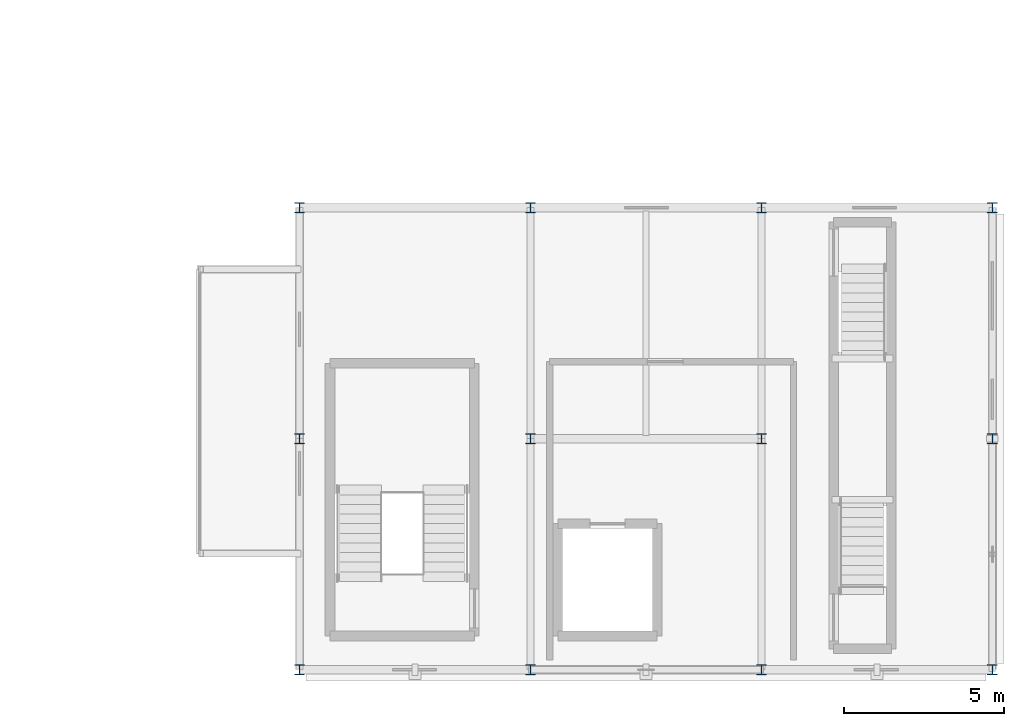
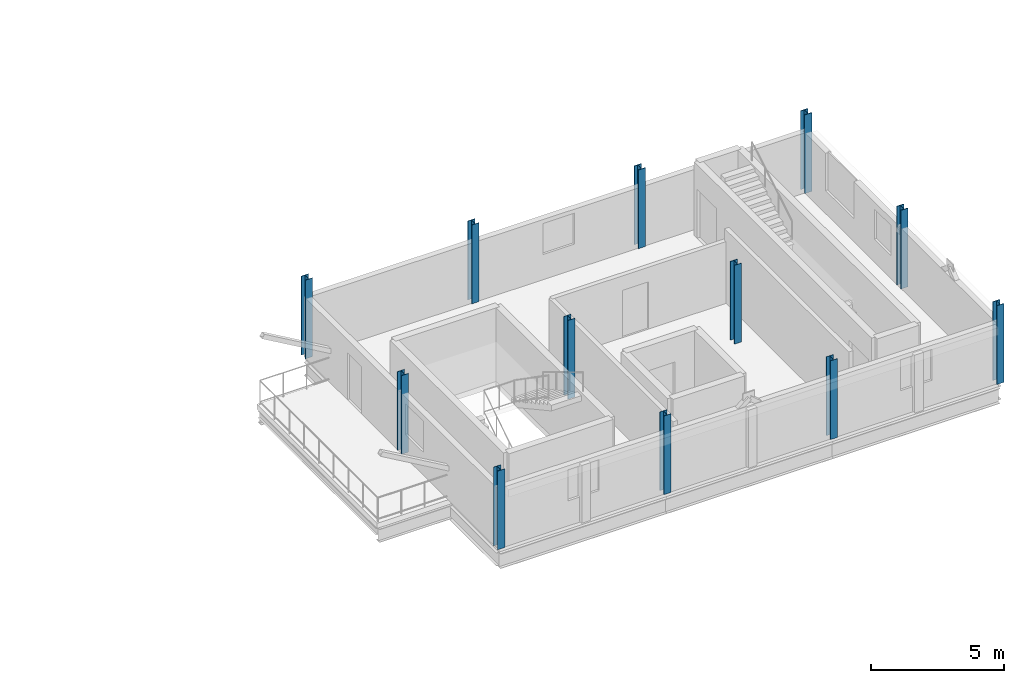
# One storey, part 6 of 96: 12 columns.
"""IFC4 building model written with IfcOpenShell, lengths in metres."""

from ifc_helpers import new_model, si_unit, direction, frame, origin, origin_2d, place, context, subcontext, project, spatial, i_section, extrude, material, material_profile, profile_set, type_object, element, save


model = new_model("IFC4")

# Units and contexts
model_context = context("Model", 3, precision=1e-05, world=origin(), true_north=direction((0.0, 1.0)))
body_context = subcontext(model_context, "Body", "Model", "MODEL_VIEW")
ifc_project = project(units=[si_unit("LENGTHUNIT", "METRE"), si_unit("AREAUNIT", "SQUARE_METRE"), si_unit("VOLUMEUNIT", "CUBIC_METRE"), si_unit("PLANEANGLEUNIT", "RADIAN"), si_unit("MASSUNIT", "GRAM", prefix="KILO")], contexts=[model_context])

# Site, building, storey
site_placement = place(None, origin())
site = spatial("IfcSite", under=ifc_project, at=site_placement, CompositionType="ELEMENT")
building_placement = place(site_placement, origin())
building = spatial("IfcBuilding", under=site, at=building_placement, Name="Yarey Park Central Fire Station", CompositionType="ELEMENT")
storey_placement = place(building_placement, frame((0.0, 0.0, 14.39990234375)))
storey = spatial("IfcBuildingStorey", under=building, at=storey_placement, Name="L04", CompositionType="ELEMENT", Elevation=14.39990234375)

# Columns
ifc_material = material(Name="Steel ASTM A992 Gr. 50", Category="steel")
ifc_material_profile_1 = material_profile(ifc_material, i_section(OverallWidth=0.30908203125, OverallDepth=0.322998046875, WebThickness=0.013916015625, FlangeThickness=0.02294921875, at=origin_2d()), Name="W310x143")
ifc_profile_set_1 = profile_set([ifc_material_profile_1], Name="Steel ASTM A992 Gr. 50")
column_type_1 = type_object("IfcColumnType", Name="STR_COL_W310_EXT", PredefinedType="COLUMN", material=ifc_profile_set_1)
for number, where, z_axis, x_axis, name in (
    (1, (144.0, 0.0, 0.0), (0.0, 0.0, 1.0), (1.0, 0.0, 0.0), "COL_L04_X1440_Y0"),
    (2, (144.0, 7.199951171875, 0.0), (0.0, 0.0, 1.0), (1.0, 0.0, 0.0), "COL_L04_X1440_Y72"),
    (3, (144.0, 14.39990234375, 0.0), (0.0, 0.0, 1.0), (1.0, 0.0, 0.0), "COL_L04_X1440_Y144"),
    (4, (151.199951171875, 0.0, 0.0), (0.0, 0.0, 1.0), (1.0, 0.0, 0.0), "COL_L04_X1512_Y0"),
    (5, (151.199951171875, 14.39990234375, 0.0), (0.0, 0.0, 1.0), (1.0, 0.0, 0.0), "COL_L04_X1512_Y144"),
    (6, (158.39990234375, 0.0, 0.0), (0.0, 0.0, 1.0), (1.0, 0.0, 0.0), "COL_L04_X1584_Y0"),
    (7, (158.39990234375, 14.39990234375, 0.0), (0.0, 0.0, 1.0), (1.0, 0.0, 0.0), "COL_L04_X1584_Y144"),
    (8, (165.60009765625, 0.0, 0.0), (0.0, 0.0, 1.0), (1.0, 0.0, 0.0), "COL_L04_X1656_Y0"),
    (9, (165.60009765625, 7.199951171875, 0.0), (0.0, 0.0, 1.0), (1.0, 0.0, 0.0), "COL_L04_X1656_Y72"),
    (10, (165.60009765625, 14.39990234375, 0.0), (0.0, 0.0, 1.0), (1.0, 0.0, 0.0), "COL_L04_X1656_Y144"),
):
    element("IfcColumn", number, at=place(storey_placement, frame(where, z_axis=z_axis, x_axis=x_axis)), inside=storey, type_object=column_type_1, Name=name, PredefinedType="COLUMN", context=body_context, shape_type="SweptSolid", body=[
        extrude(i_section(OverallWidth=0.30908203125, OverallDepth=0.322998046875, WebThickness=0.013916015625, FlangeThickness=0.02294921875, at=origin_2d()), origin(), (0.0, 0.0, 1.0), 3.60009765625),
    ])
ifc_material_profile_2 = material_profile(ifc_material, i_section(OverallWidth=0.30908203125, OverallDepth=0.322998046875, WebThickness=0.013916015625, FlangeThickness=0.02294921875, at=origin_2d()), Name="W310x143")
ifc_profile_set_2 = profile_set([ifc_material_profile_2], Name="Steel ASTM A992 Gr. 50")
column_type_2 = type_object("IfcColumnType", Name="STR_COL_W310_INT", PredefinedType="COLUMN", material=ifc_profile_set_2)
for number, where, z_axis, x_axis, name in (
    (11, (151.199951171875, 7.199951171875, 0.0), (0.0, 0.0, 1.0), (1.0, 0.0, 0.0), "COL_L04_X1512_Y72"),
    (12, (158.39990234375, 7.199951171875, 0.0), (0.0, 0.0, 1.0), (1.0, 0.0, 0.0), "COL_L04_X1584_Y72"),
):
    element("IfcColumn", number, at=place(storey_placement, frame(where, z_axis=z_axis, x_axis=x_axis)), inside=storey, type_object=column_type_2, Name=name, PredefinedType="COLUMN", context=body_context, shape_type="SweptSolid", body=[
        extrude(i_section(OverallWidth=0.30908203125, OverallDepth=0.322998046875, WebThickness=0.013916015625, FlangeThickness=0.02294921875, at=origin_2d()), origin(), (0.0, 0.0, 1.0), 3.60009765625),
    ])

save(model, "model.ifc")
